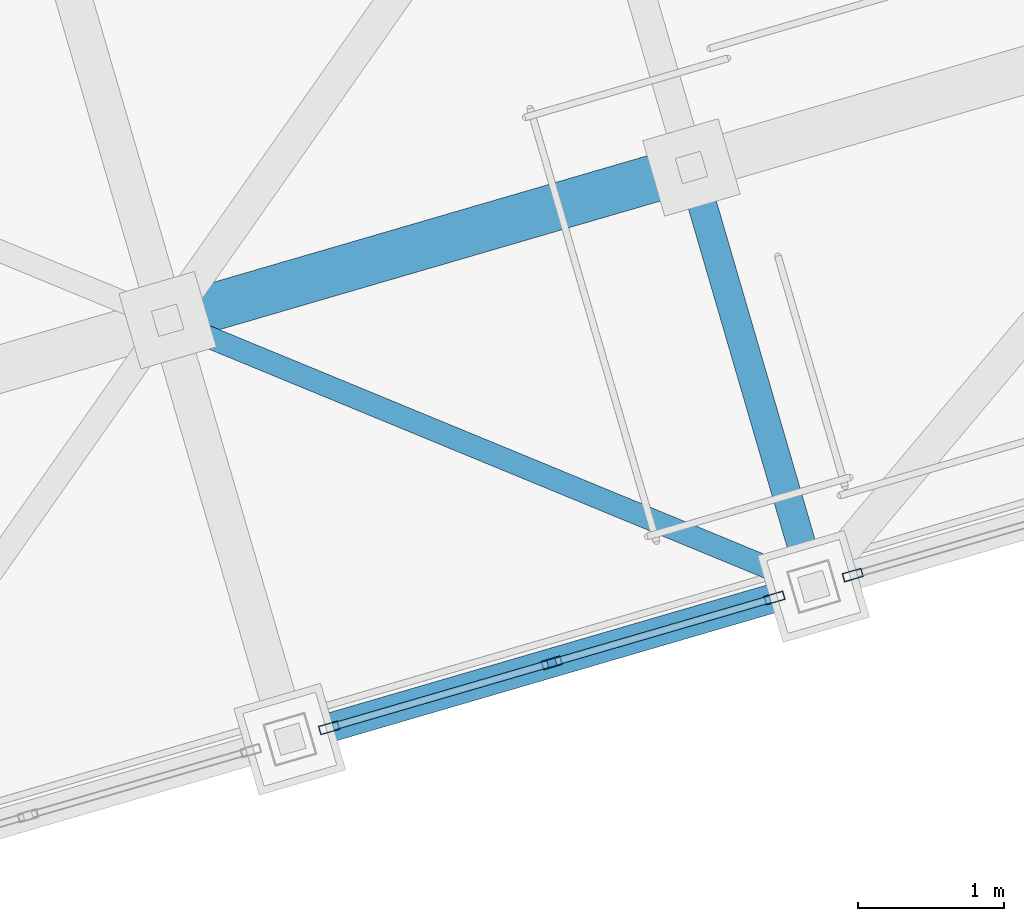
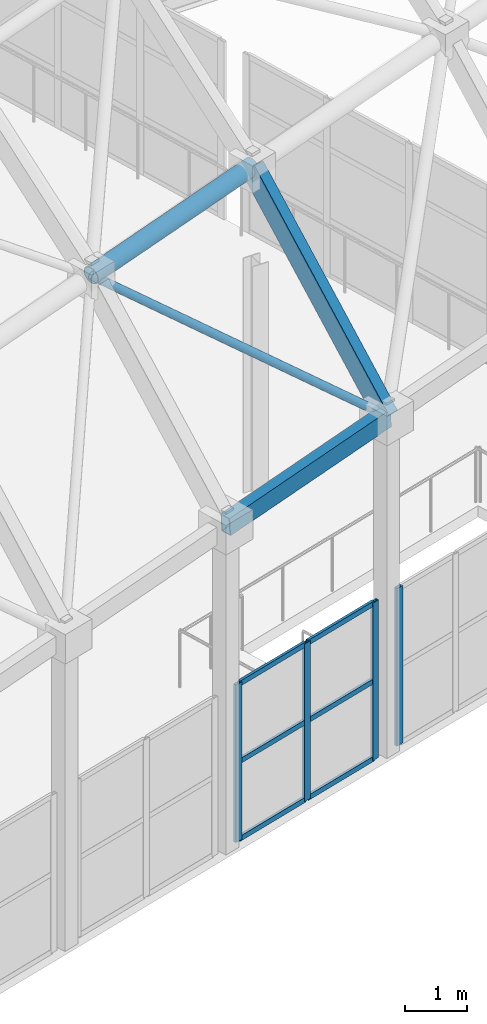
# One storey, part 67 of 248: 12 members, 2 beams, 2 elements without a shape of their own.
"""IFC4 building model written with IfcOpenShell, lengths in metres."""

from ifc_helpers import new_model, si_unit, direction, frame, origin, origin_2d, place, context, subcontext, project, spatial, hollow_rectangle, hollow_circle, extrude, material, layer, layer_set, material_profile, profile_set, type_object, element, aggregate, save


model = new_model("IFC4")

# Units and contexts
model_context = context("Model", 3, precision=1e-05, world=origin(), true_north=direction((0.0, 1.0)))
body_context = subcontext(model_context, "Body", "Model", "MODEL_VIEW")
ifc_project = project(units=[si_unit("LENGTHUNIT", "METRE"), si_unit("AREAUNIT", "SQUARE_METRE"), si_unit("VOLUMEUNIT", "CUBIC_METRE"), si_unit("PLANEANGLEUNIT", "RADIAN"), si_unit("MASSUNIT", "GRAM", prefix="KILO")], contexts=[model_context])

# Site, building, storey
site_placement = place(None, origin())
site = spatial("IfcSite", under=ifc_project, at=site_placement, CompositionType="ELEMENT")
building_placement = place(site_placement, origin())
building = spatial("IfcBuilding", under=site, at=building_placement, Name="Canggui Botanical Conservatory", CompositionType="ELEMENT")
storey_placement = place(building_placement, frame((0.0, 0.0, 5.39990234375)))
storey = spatial("IfcBuildingStorey", under=building, at=storey_placement, Name="L02", CompositionType="ELEMENT", Elevation=5.39990234375)

# Beams
ifc_material_1 = material(Name="Steel Q355C", Category="steel")
ifc_material_profile_1 = material_profile(ifc_material_1, hollow_rectangle(XDim=0.199951171875, YDim=0.39990234375, WallThickness=0.011962890625, at=origin_2d()), Name="RHS 200x400x12")
ifc_profile_set_1 = profile_set([ifc_material_profile_1], Name="Steel Q355C")
beam_type_1 = type_object("IfcBeamType", Name="BM-GJ04", PredefinedType="BEAM", material=ifc_profile_set_1)
beam_1_placement = place(storey_placement, frame((63.199951171875, 54.60009765625, 6.60009765625), z_axis=(-0.183516511104, 0.629290920054, 0.755191782324), x_axis=(-0.960010937337, -0.279962497833, 0.0)))
element("IfcBeam", 1, at=beam_1_placement, inside=storey, type_object=beam_type_1, Name="Conservatory Stepped-Arch Rib GJ-13 Segment 1", PredefinedType="BEAM", context=body_context, shape_type="SweptSolid", body=[
    extrude(hollow_rectangle(XDim=0.199951171875, YDim=0.39990234375, WallThickness=0.011962890625, at=origin_2d()), origin(), (0.0, 0.0, 1.0), 4.576416015625),
])
ifc_material_profile_2 = material_profile(ifc_material_1, hollow_rectangle(XDim=0.199951171875, YDim=0.35009765625, WallThickness=0.011962890625, at=origin_2d()), Name="RHS 200x350x12")
ifc_profile_set_2 = profile_set([ifc_material_profile_2], Name="Steel Q355C")
beam_type_2 = type_object("IfcBeamType", Name="BM-RING01", PredefinedType="BEAM", material=ifc_profile_set_2)
beam_2_placement = place(storey_placement, frame((59.60009765625, 53.550048828125, 6.35009765625), z_axis=(0.957867059601, 0.279402253194, 0.066521252562), x_axis=(-0.280022500685, 0.959993437014, 0.0)))
element("IfcBeam", 2, at=beam_2_placement, inside=storey, type_object=beam_type_2, Name="Conservatory Perimeter Ring Beam V0-12", PredefinedType="BEAM", context=body_context, shape_type="SweptSolid", body=[
    extrude(hollow_rectangle(XDim=0.199951171875, YDim=0.35009765625, WallThickness=0.011962890625, at=origin_2d()), origin(), (0.0, 0.0, 1.0), 3.75830078125),
])

# Curtain wall, members
ifc_material_2 = material(Name="Thermally Broken Aluminium", Category="aluminium")
ifc_layer = layer(ifc_material_2, 0.135009765625, Name="Thermally Broken Aluminium", Category="aluminium")
ifc_layer_set = layer_set([ifc_layer], Name="Thermally Broken Aluminium")
curtain_wall_type = type_object("IfcCurtainWallType", Name="CW-STICK-A", PredefinedType="USERDEFINED", material=ifc_layer_set)
curtain_wall_1_placement = place(storey_placement, origin())
curtain_wall_1 = element("IfcCurtainWall", 3, at=curtain_wall_1_placement, inside=storey, type_object=curtain_wall_type, Name="Facade Curtain Wall CW-CONS-L02-V0-12", ObjectType="STICK GLAZED WALL", PredefinedType="USERDEFINED")
ifc_material_profile_3 = material_profile(ifc_material_2, hollow_rectangle(XDim=0.06005859375, YDim=0.135009765625, WallThickness=0.00341796875, at=origin_2d()), Name="CWM 60x135x3.5")
ifc_profile_set_3 = profile_set([ifc_material_profile_3], Name="Thermally Broken Aluminium")
member_type_1 = type_object("IfcMemberType", Name="CWM-04", PredefinedType="MULLION", material=ifc_profile_set_3)
member_1_placement = place(storey_placement, frame((62.93115234375, 54.521484375, 0.0), z_axis=(0.0, 0.0, 1.0), x_axis=(0.279999999995, -0.960000000002, 0.0)))
member_1 = element("IfcMember", 4, at=member_1_placement, type_object=member_type_1, Name="CW-04 mullion 1", PredefinedType="MULLION", context=body_context, shape_type="SweptSolid", body=[
    extrude(hollow_rectangle(XDim=0.06005859375, YDim=0.135009765625, WallThickness=0.00341796875, at=origin_2d()), origin(), (0.0, 0.0, 1.0), 3.10009765625),
])
member_2_placement = place(storey_placement, frame((61.39990234375, 54.074951171875, 0.0), z_axis=(0.0, 0.0, 1.0), x_axis=(0.279999999995, -0.960000000002, 0.0)))
member_2 = element("IfcMember", 5, at=member_2_placement, type_object=member_type_1, Name="CW-04 mullion 2", PredefinedType="MULLION", context=body_context, shape_type="SweptSolid", body=[
    extrude(hollow_rectangle(XDim=0.06005859375, YDim=0.135009765625, WallThickness=0.00341796875, at=origin_2d()), origin(), (0.0, 0.0, 1.0), 3.10009765625),
])
member_3_placement = place(storey_placement, frame((59.868896484375, 53.62841796875, 0.0), z_axis=(0.0, 0.0, 1.0), x_axis=(0.279999999995, -0.960000000002, 0.0)))
member_3 = element("IfcMember", 6, at=member_3_placement, type_object=member_type_1, Name="CW-04 mullion 3", PredefinedType="MULLION", context=body_context, shape_type="SweptSolid", body=[
    extrude(hollow_rectangle(XDim=0.06005859375, YDim=0.135009765625, WallThickness=0.00341796875, at=origin_2d()), origin(), (0.0, 0.0, 1.0), 3.10009765625),
])

# Curtain wall, member
curtain_wall_2_placement = place(storey_placement, origin())
curtain_wall_2 = element("IfcCurtainWall", 7, at=curtain_wall_2_placement, inside=storey, type_object=curtain_wall_type, Name="Facade Curtain Wall CW-CONS-L02-V0-13", ObjectType="STICK GLAZED WALL", PredefinedType="USERDEFINED")
member_4_placement = place(storey_placement, frame((63.46875, 54.678466796875, 0.0), z_axis=(0.0, 0.0, 1.0), x_axis=(0.279999999995, -0.960000000002, 0.0)))
member_4 = element("IfcMember", 8, at=member_4_placement, type_object=member_type_1, Name="CW-04 mullion 4", PredefinedType="MULLION", context=body_context, shape_type="SweptSolid", body=[
    extrude(hollow_rectangle(XDim=0.06005859375, YDim=0.135009765625, WallThickness=0.00341796875, at=origin_2d()), origin(), (0.0, 0.0, 1.0), 3.10009765625),
])
aggregate(curtain_wall_2, [member_4])

# Member
ifc_material_profile_4 = material_profile(ifc_material_2, hollow_rectangle(XDim=0.050048828125, YDim=0.10009765625, WallThickness=0.0029296875, at=origin_2d()), Name="CWT 50x100x3")
ifc_profile_set_4 = profile_set([ifc_material_profile_4], Name="Thermally Broken Aluminium")
member_type_2 = type_object("IfcMemberType", Name="CWT-04", PredefinedType="USERDEFINED", material=ifc_profile_set_4)
member_5_placement = place(storey_placement, frame((62.90234375, 54.51318359375, 0.025146484375), z_axis=(-0.960021373424, -0.279926709282, 0.0), x_axis=(0.279926709282, -0.960021373424, 0.0)))
member_5 = element("IfcMember", 9, at=member_5_placement, type_object=member_type_2, Name="CW-04 transom 1.1", ObjectType="TRANSOM", PredefinedType="USERDEFINED", context=body_context, shape_type="SweptSolid", body=[
    extrude(hollow_rectangle(XDim=0.050048828125, YDim=0.10009765625, WallThickness=0.0029296875, at=origin_2d()), origin(), (0.0, 0.0, 1.0), 1.534912109375),
])

member_6_placement = place(storey_placement, frame((62.90234375, 54.51318359375, 1.550048828125), z_axis=(-0.960021373424, -0.279926709282, 0.0), x_axis=(0.279926709282, -0.960021373424, 0.0)))
member_6 = element("IfcMember", 10, at=member_6_placement, type_object=member_type_2, Name="CW-04 transom 1.2", ObjectType="TRANSOM", PredefinedType="USERDEFINED", context=body_context, shape_type="SweptSolid", body=[
    extrude(hollow_rectangle(XDim=0.050048828125, YDim=0.10009765625, WallThickness=0.0029296875, at=origin_2d()), origin(), (0.0, 0.0, 1.0), 1.534912109375),
])

member_7_placement = place(storey_placement, frame((62.90234375, 54.51318359375, 3.0751953125), z_axis=(-0.960021373424, -0.279926709282, 0.0), x_axis=(0.279926709282, -0.960021373424, 0.0)))
member_7 = element("IfcMember", 11, at=member_7_placement, type_object=member_type_2, Name="CW-04 transom 1.3", ObjectType="TRANSOM", PredefinedType="USERDEFINED", context=body_context, shape_type="SweptSolid", body=[
    extrude(hollow_rectangle(XDim=0.050048828125, YDim=0.10009765625, WallThickness=0.0029296875, at=origin_2d()), origin(), (0.0, 0.0, 1.0), 1.534912109375),
])

member_8_placement = place(storey_placement, frame((61.37109375, 54.066650390625, 0.025146484375), z_axis=(-0.95996614364, -0.28011605285, 0.0), x_axis=(0.28011605285, -0.95996614364, 0.0)))
member_8 = element("IfcMember", 12, at=member_8_placement, type_object=member_type_2, Name="CW-04 transom 2.1", ObjectType="TRANSOM", PredefinedType="USERDEFINED", context=body_context, shape_type="SweptSolid", body=[
    extrude(hollow_rectangle(XDim=0.050048828125, YDim=0.10009765625, WallThickness=0.0029296875, at=origin_2d()), origin(), (0.0, 0.0, 1.0), 1.534912109375),
])

member_9_placement = place(storey_placement, frame((61.37109375, 54.066650390625, 1.550048828125), z_axis=(-0.95996614364, -0.28011605285, 0.0), x_axis=(0.28011605285, -0.95996614364, 0.0)))
member_9 = element("IfcMember", 13, at=member_9_placement, type_object=member_type_2, Name="CW-04 transom 2.2", ObjectType="TRANSOM", PredefinedType="USERDEFINED", context=body_context, shape_type="SweptSolid", body=[
    extrude(hollow_rectangle(XDim=0.050048828125, YDim=0.10009765625, WallThickness=0.0029296875, at=origin_2d()), origin(), (0.0, 0.0, 1.0), 1.534912109375),
])

member_10_placement = place(storey_placement, frame((61.37109375, 54.066650390625, 3.0751953125), z_axis=(-0.95996614364, -0.28011605285, 0.0), x_axis=(0.28011605285, -0.95996614364, 0.0)))
member_10 = element("IfcMember", 14, at=member_10_placement, type_object=member_type_2, Name="CW-04 transom 2.3", ObjectType="TRANSOM", PredefinedType="USERDEFINED", context=body_context, shape_type="SweptSolid", body=[
    extrude(hollow_rectangle(XDim=0.050048828125, YDim=0.10009765625, WallThickness=0.0029296875, at=origin_2d()), origin(), (0.0, 0.0, 1.0), 1.534912109375),
])

aggregate(curtain_wall_1, [member_1, member_2, member_3, member_5, member_6, member_7, member_8, member_9, member_10])

# Members
ifc_material_profile_5 = material_profile(ifc_material_1, hollow_circle(Radius=0.16259765625, WallThickness=0.011962890625, at=origin_2d()), Name="CHS 325x12")
ifc_profile_set_5 = profile_set([ifc_material_profile_5], Name="Steel Q355C")
member_type_3 = type_object("IfcMemberType", Name="MEM-GSC01", PredefinedType="CHORD", material=ifc_profile_set_5)
member_11_placement = place(storey_placement, frame((58.760009765625, 56.429931640625, 9.80615234375), z_axis=(0.957872417874, 0.27938486839, 0.066517113516), x_axis=(-0.280004999853, 0.959998541695, 0.0)))
element("IfcMember", 15, at=member_11_placement, inside=storey, type_object=member_type_3, Name="Conservatory Gridshell Longitudinal Chord 12-1", PredefinedType="CHORD", context=body_context, shape_type="SweptSolid", body=[
    extrude(hollow_circle(Radius=0.16259765625, WallThickness=0.011962890625, at=origin_2d()), origin(), (0.0, 0.0, 1.0), 3.758544921875),
])
ifc_material_profile_6 = material_profile(ifc_material_1, hollow_circle(Radius=0.075927734375, WallThickness=0.006103515625, at=origin_2d()), Name="CHS 152x6")
ifc_profile_set_6 = profile_set([ifc_material_profile_6], Name="Steel Q355C")
member_type_4 = type_object("IfcMemberType", Name="MEM-GSD04", PredefinedType="RAFTER", material=ifc_profile_set_6)
member_12_placement = place(storey_placement, frame((58.760009765625, 56.429931640625, 9.80615234375), z_axis=(0.768941688522, -0.316904099608, -0.555248116885), x_axis=(0.381038726983, 0.924559077907, 0.0)))
element("IfcMember", 16, at=member_12_placement, inside=storey, type_object=member_type_4, Name="Conservatory Gridshell Diagrid Rafter 12-1", PredefinedType="RAFTER", context=body_context, shape_type="SweptSolid", body=[
    extrude(hollow_circle(Radius=0.075927734375, WallThickness=0.006103515625, at=origin_2d()), origin(), (0.0, 0.0, 1.0), 5.774169921875),
])

save(model, "model.ifc")
